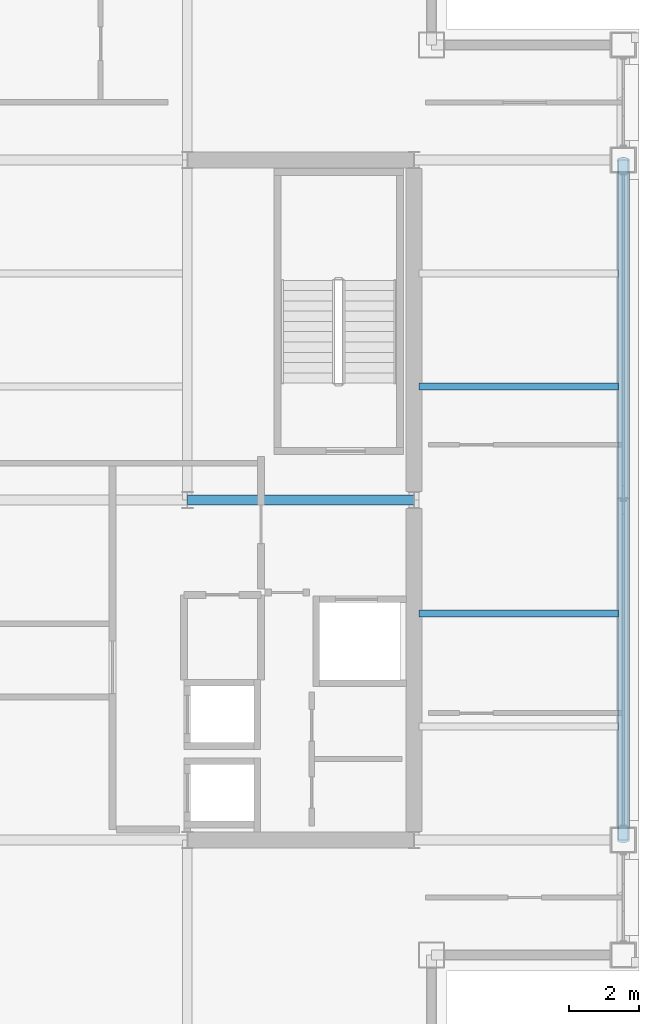
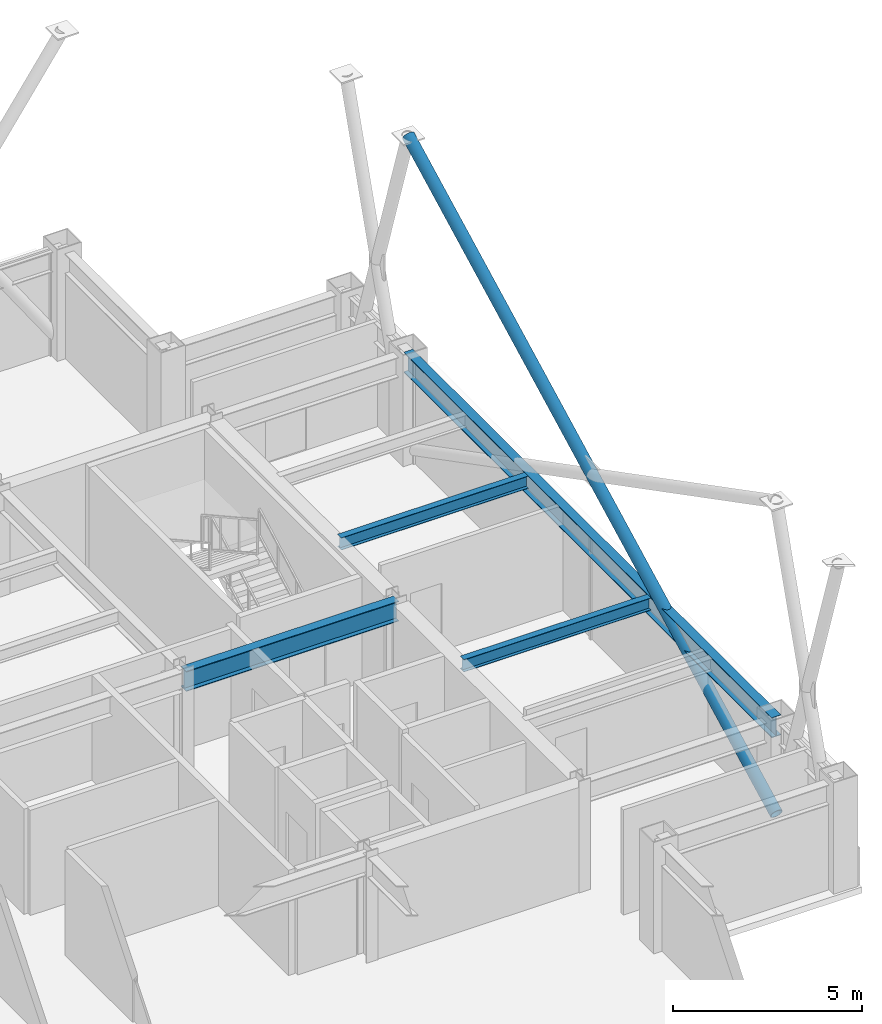
# One storey, part 15 of 30: 4 beams, 1 member.
"""IFC4 building model written with IfcOpenShell, lengths in metres."""

from ifc_helpers import new_model, si_unit, direction, frame, origin, origin_2d, place, context, subcontext, project, spatial, hollow_circle, i_section, extrude, material, material_profile, profile_set, type_object, element, save


model = new_model("IFC4")

# Units and contexts
model_context = context("Model", 3, precision=1e-05, world=origin(), true_north=direction((0.0, 1.0)))
body_context = subcontext(model_context, "Body", "Model", "MODEL_VIEW")
ifc_project = project(units=[si_unit("LENGTHUNIT", "METRE"), si_unit("AREAUNIT", "SQUARE_METRE"), si_unit("VOLUMEUNIT", "CUBIC_METRE"), si_unit("PLANEANGLEUNIT", "RADIAN"), si_unit("MASSUNIT", "GRAM", prefix="KILO")], contexts=[model_context])

# Site, building, storey
site_placement = place(None, origin())
site = spatial("IfcSite", under=ifc_project, at=site_placement, CompositionType="ELEMENT")
building_placement = place(site_placement, origin())
building = spatial("IfcBuilding", under=site, at=building_placement, Name="Brelmoor Portico Tower", CompositionType="ELEMENT")
storey_placement = place(building_placement, frame((0.0, 0.0, 173.10009765625)))
storey = spatial("IfcBuildingStorey", under=building, at=storey_placement, Name="L45", CompositionType="ELEMENT", Elevation=173.10009765625)

# Beams
ifc_material = material(Name="Steel Q355B", Category="steel")
ifc_material_profile_1 = material_profile(ifc_material, i_section(OverallWidth=0.199951171875, OverallDepth=0.39990234375, WebThickness=0.008056640625, FlangeThickness=0.012939453125, at=origin_2d()), Name="HN 400x200x8x13")
ifc_profile_set_1 = profile_set([ifc_material_profile_1], Name="Steel Q355B")
beam_type_1 = type_object("IfcBeamType", Name="BM-JS-400", PredefinedType="JOIST", material=ifc_profile_set_1)
for number, where, z_axis, x_axis, name in (
    (1, (14.68994140625, -3.25, 3.199951171875), (1.0, 0.0, 0.0), (0.0, 1.0, 0.0), "L45 Secondary Wing Joist JS-E10"),
    (2, (14.68994140625, 3.25, 3.199951171875), (1.0, 0.0, 0.0), (0.0, 1.0, 0.0), "L45 Secondary Wing Joist JS-E11"),
):
    element("IfcBeam", number, at=place(storey_placement, frame(where, z_axis=z_axis, x_axis=x_axis)), inside=storey, type_object=beam_type_1, Name=name, PredefinedType="JOIST", context=body_context, shape_type="SweptSolid", body=[
        extrude(i_section(OverallWidth=0.199951171875, OverallDepth=0.39990234375, WebThickness=0.008056640625, FlangeThickness=0.012939453125, at=origin_2d()), origin(), (0.0, 0.0, 1.0), 5.719970703125),
    ])
ifc_material_profile_2 = material_profile(ifc_material, i_section(OverallWidth=0.280029296875, OverallDepth=0.64990234375, WebThickness=0.012939453125, FlangeThickness=0.02197265625, at=origin_2d()), Name="HN 650x280x13x22")
ifc_profile_set_2 = profile_set([ifc_material_profile_2], Name="Steel Q355B")
beam_type_2 = type_object("IfcBeamType", Name="BM-PG-650", PredefinedType="BEAM", material=ifc_profile_set_2)
beam_1_placement = place(storey_placement, frame((8.050048828125, 0.0, 3.074951171875), z_axis=(1.0, 0.0, 0.0), x_axis=(0.0, 1.0, 0.0)))
element("IfcBeam", 3, at=beam_1_placement, inside=storey, type_object=beam_type_2, Name="L45 Primary Floor Girder PG-18", PredefinedType="BEAM", context=body_context, shape_type="SweptSolid", body=[
    extrude(i_section(OverallWidth=0.280029296875, OverallDepth=0.64990234375, WebThickness=0.012939453125, FlangeThickness=0.02197265625, at=origin_2d()), origin(), (0.0, 0.0, 1.0), 6.5),
])
ifc_material_profile_3 = material_profile(ifc_material, i_section(OverallWidth=0.280029296875, OverallDepth=0.64990234375, WebThickness=0.012939453125, FlangeThickness=0.02197265625, at=origin_2d()), Name="HN 650x280x13x22")
ifc_profile_set_3 = profile_set([ifc_material_profile_3], Name="Steel Q355B")
beam_type_3 = type_object("IfcBeamType", Name="BM-SP-650", PredefinedType="SPANDREL", material=ifc_profile_set_3)
beam_2_placement = place(storey_placement, frame((20.550048828125, -9.75, 3.074951171875), z_axis=(0.0, 1.0, 0.0), x_axis=(-1.0, 0.0, 0.0)))
element("IfcBeam", 4, at=beam_2_placement, inside=storey, type_object=beam_type_3, Name="L45 Perimeter Spandrel Beam SP-19", PredefinedType="SPANDREL", context=body_context, shape_type="SweptSolid", body=[
    extrude(i_section(OverallWidth=0.280029296875, OverallDepth=0.64990234375, WebThickness=0.012939453125, FlangeThickness=0.02197265625, at=origin_2d()), origin(), (0.0, 0.0, 1.0), 19.5),
])

# Member
ifc_material_profile_4 = material_profile(ifc_material, hollow_circle(Radius=0.177978515625, WallThickness=0.01611328125, at=origin_2d()), Name="CHS 356x16")
ifc_profile_set_4 = profile_set([ifc_material_profile_4], Name="Steel Q355B")
member_type = type_object("IfcMemberType", Name="MB-BELT-DIAG2", PredefinedType="BRACE", material=ifc_profile_set_4)
member_placement = place(storey_placement, frame((20.550048828125, -9.75, 0.25), z_axis=(0.0, 0.8879639262, 0.459913106758), x_axis=(-1.0, 0.0, 0.0)))
element("IfcMember", 5, at=member_placement, inside=storey, type_object=member_type, Name="L45 Continuous Mega-X Brace 103A", PredefinedType="BRACE", context=body_context, shape_type="SweptSolid", body=[
    extrude(hollow_circle(Radius=0.177978515625, WallThickness=0.01611328125, at=origin_2d()), origin(), (0.0, 0.0, 1.0), 21.96044921875),
])

save(model, "model.ifc")
